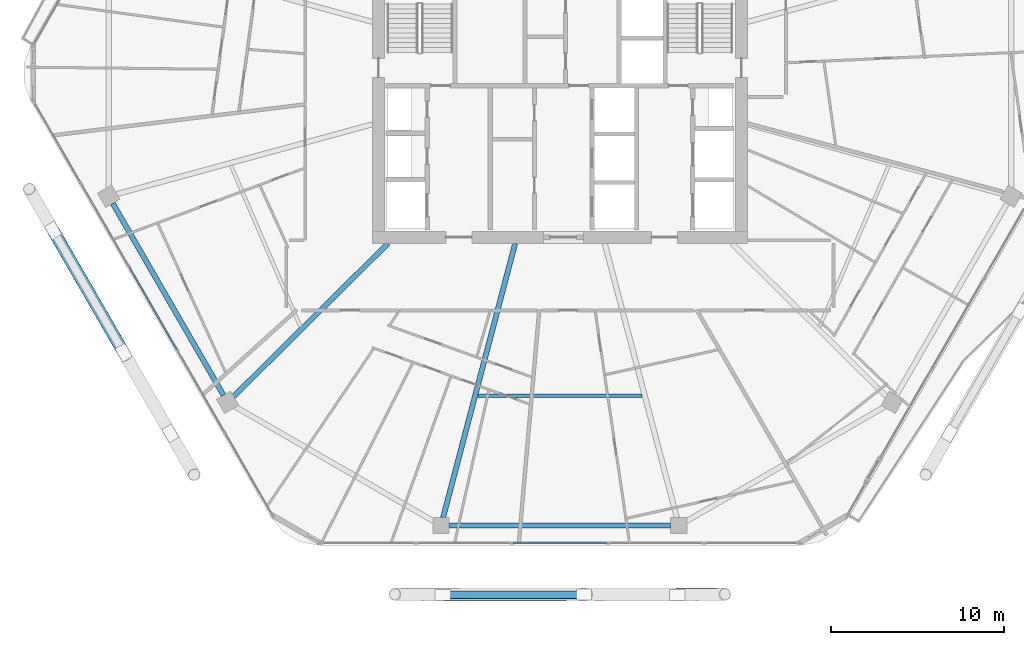
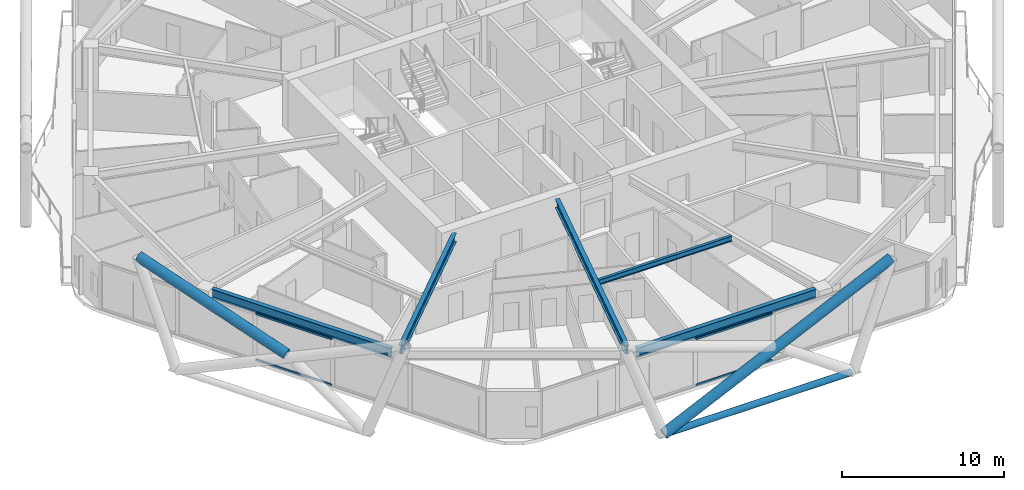
# One storey, part 4 of 28: 7 members, 5 beams, 2 elements without a shape of their own.
"""IFC4 building model written with IfcOpenShell, lengths in metres."""

from ifc_helpers import new_model, si_unit, direction, frame, origin, origin_2d, place, context, subcontext, project, spatial, hollow_rectangle, hollow_circle, i_section, extrude, material, material_profile, profile_set, type_object, element, aggregate, save


model = new_model("IFC4")

# Units and contexts
model_context = context("Model", 3, precision=1e-05, world=origin(), true_north=direction((0.0, 1.0)))
body_context = subcontext(model_context, "Body", "Model", "MODEL_VIEW")
ifc_project = project(units=[si_unit("LENGTHUNIT", "METRE"), si_unit("AREAUNIT", "SQUARE_METRE"), si_unit("VOLUMEUNIT", "CUBIC_METRE"), si_unit("PLANEANGLEUNIT", "RADIAN"), si_unit("MASSUNIT", "GRAM", prefix="KILO")], contexts=[model_context])

# Site, building, storey
site_placement = place(None, origin())
site = spatial("IfcSite", under=ifc_project, at=site_placement, CompositionType="ELEMENT")
building_placement = place(site_placement, origin())
building = spatial("IfcBuilding", under=site, at=building_placement, Name="Zuhravey Tower", CompositionType="ELEMENT")
storey_placement = place(building_placement, frame((0.0, 0.0, 199.800048828125)))
storey = spatial("IfcBuildingStorey", under=building, at=storey_placement, Name="L50", CompositionType="ELEMENT", Elevation=199.800048828125)

# Curtain wall, members
ifc_material_1 = material(Name="Thermally broken anodised aluminium", Category="aluminium")
curtain_wall_type = type_object("IfcCurtainWallType", Name="Zone 1-2 Residential Curtain Wall CW3", PredefinedType="NOTDEFINED", material=ifc_material_1)
curtain_wall_1_placement = place(storey_placement, origin())
curtain_wall_1 = element("IfcCurtainWall", 1, at=curtain_wall_1_placement, inside=storey, type_object=curtain_wall_type, Name="L50 CW3 CW-L50-F5-1", PredefinedType="NOTDEFINED")
ifc_material_2 = material(Name="Anodised aluminium", Category="aluminium")
ifc_material_profile_1 = material_profile(ifc_material_2, hollow_rectangle(XDim=0.090087890625, YDim=0.14990234375, WallThickness=0.0048828125, at=origin_2d()), Name="ALU-RHS-90x150x5")
ifc_profile_set_1 = profile_set([ifc_material_profile_1], Name="Anodised aluminium")
member_type_1 = type_object("IfcMemberType", Name="Curtain-Wall Transom 90x150", PredefinedType="USERDEFINED", material=ifc_profile_set_1)
member_1_placement = place(storey_placement, frame((38.727294921875, 4.81689453125, 0.044921875), z_axis=(-1.0, 0.0, 0.0), x_axis=(0.0, -1.0, 0.0)))
member_1 = element("IfcMember", 2, at=member_1_placement, type_object=member_type_1, Name="CW3 transom 3.1", ObjectType="TRANSOM", PredefinedType="USERDEFINED", context=body_context, shape_type="SweptSolid", body=[
    extrude(hollow_rectangle(XDim=0.090087890625, YDim=0.14990234375, WallThickness=0.0048828125, at=origin_2d()), origin(), (0.0, 0.0, 1.0), 5.45458984375),
])
member_2_placement = place(storey_placement, frame((38.727294921875, 4.81689453125, 3.5048828125), z_axis=(-1.0, 0.0, 0.0), x_axis=(0.0, -1.0, 0.0)))
member_2 = element("IfcMember", 3, at=member_2_placement, type_object=member_type_1, Name="CW3 transom 3.2", ObjectType="TRANSOM", PredefinedType="USERDEFINED", context=body_context, shape_type="SweptSolid", body=[
    extrude(hollow_rectangle(XDim=0.090087890625, YDim=0.14990234375, WallThickness=0.0048828125, at=origin_2d()), origin(), (0.0, 0.0, 1.0), 5.45458984375),
])
aggregate(curtain_wall_1, [member_1, member_2])

curtain_wall_2_placement = place(storey_placement, origin())
curtain_wall_2 = element("IfcCurtainWall", 4, at=curtain_wall_2_placement, inside=storey, type_object=curtain_wall_type, Name="L50 CW3 CW-L50-F4-1", PredefinedType="NOTDEFINED")
member_3_placement = place(storey_placement, frame((13.822265625, 16.046630859375, 0.044921875), z_axis=(-0.499980763544, 0.866036509673, 0.0), x_axis=(-0.866036509673, -0.499980763544, 0.0)))
member_3 = element("IfcMember", 5, at=member_3_placement, type_object=member_type_1, Name="CW3 transom 3.1", ObjectType="TRANSOM", PredefinedType="USERDEFINED", context=body_context, shape_type="SweptSolid", body=[
    extrude(hollow_rectangle(XDim=0.090087890625, YDim=0.14990234375, WallThickness=0.0048828125, at=origin_2d()), origin(), (0.0, 0.0, 1.0), 5.454345703125),
])
member_4_placement = place(storey_placement, frame((13.822265625, 16.046630859375, 3.5048828125), z_axis=(-0.499980763544, 0.866036509673, 0.0), x_axis=(-0.866036509673, -0.499980763544, 0.0)))
member_4 = element("IfcMember", 6, at=member_4_placement, type_object=member_type_1, Name="CW3 transom 3.2", ObjectType="TRANSOM", PredefinedType="USERDEFINED", context=body_context, shape_type="SweptSolid", body=[
    extrude(hollow_rectangle(XDim=0.090087890625, YDim=0.14990234375, WallThickness=0.0048828125, at=origin_2d()), origin(), (0.0, 0.0, 1.0), 5.454345703125),
])
aggregate(curtain_wall_2, [member_3, member_4])

# Members
ifc_material_3 = material(Name="Steel SM355", Category="steel")
ifc_material_profile_2 = material_profile(ifc_material_3, hollow_circle(Radius=0.228515625, WallThickness=0.02197265625, at=origin_2d()), Name="CHS-457.2x22")
ifc_profile_set_2 = profile_set([ifc_material_profile_2], Name="Steel SM355")
member_type_2 = type_object("IfcMemberType", Name="Exoskeleton Ring Tie CHS457x22", PredefinedType="CHORD", material=ifc_profile_set_2)
member_5_placement = place(storey_placement, frame((29.35888671875, 1.81689453125, -0.464111328125), z_axis=(1.0, 0.0, 0.0), x_axis=(0.0, 1.0, 0.0)))
element("IfcMember", 7, at=member_5_placement, inside=storey, type_object=member_type_2, Name="L50 Exoskeleton Face 5 Tie EXR1", PredefinedType="CHORD", context=body_context, shape_type="SweptSolid", body=[
    extrude(hollow_circle(Radius=0.228515625, WallThickness=0.02197265625, at=origin_2d()), origin(), (0.0, 0.0, 1.0), 13.2822265625),
])
ifc_material_4 = material(Name="Steel SM460", Category="steel")
ifc_material_profile_3 = material_profile(ifc_material_4, hollow_circle(Radius=0.355712890625, WallThickness=0.031982421875, at=origin_2d()), Name="CHS-711.2x32")
ifc_profile_set_3 = profile_set([ifc_material_profile_3], Name="Steel SM460")
member_type_3 = type_object("IfcMemberType", Name="Exoskeleton Zone 2 Diagrid CHS711x32", PredefinedType="BRACE", material=ifc_profile_set_3)
member_6_placement = place(storey_placement, frame((10.598876953125, 16.10986328125, 3.44921875), z_axis=(-0.472328200199, 0.818092776704, 0.328070541198), x_axis=(-0.866024434144, -0.500001679462, 0.0)))
element("IfcMember", 8, at=member_6_placement, inside=storey, type_object=member_type_3, Name="L50 Face 4 Split Diagrid Brace 3B", PredefinedType="BRACE", context=body_context, shape_type="SweptSolid", body=[
    extrude(hollow_circle(Radius=0.355712890625, WallThickness=0.031982421875, at=origin_2d()), origin(), (0.0, 0.0, 1.0), 11.190185546875),
])
member_7_placement = place(storey_placement, frame((29.261962890625, 1.81689453125, -0.444091796875), z_axis=(0.906678890215, 0.001675503358, 0.421818186815), x_axis=(-0.001847953575, 0.999998292532, 0.0)))
element("IfcMember", 9, at=member_7_placement, inside=storey, type_object=member_type_3, Name="L50 Face 5 Diagrid Brace 2", PredefinedType="BRACE", context=body_context, shape_type="SweptSolid", body=[
    extrude(hollow_circle(Radius=0.355712890625, WallThickness=0.031982421875, at=origin_2d()), origin(), (0.0, 0.0, 1.0), 17.922607421875),
])

# Beams
ifc_material_profile_4 = material_profile(ifc_material_3, i_section(OverallWidth=0.300048828125, OverallDepth=0.679931640625, WebThickness=0.012939453125, FlangeThickness=0.02197265625, at=origin_2d()), Name="H-680x300x13x22")
ifc_profile_set_4 = profile_set([ifc_material_profile_4], Name="Steel SM355")
beam_type_1 = type_object("IfcBeamType", Name="Perimeter Ring Beam H680x300", PredefinedType="BEAM", material=ifc_profile_set_4)
for number, where, z_axis, x_axis, name in (
    (10, (10.13134765625, 24.45947265625, 3.2099609375), (0.500003505699, -0.866023379758, 0.0), (0.866023379758, 0.500003505699, 0.0), "L50 PB2 BM-L50-PB-07"),
    (11, (29.595947265625, 5.826904296875, 3.2099609375), (1.0, 0.0, 0.0), (0.0, 1.0, 0.0), "L50 PB2 BM-L50-PB-09"),
):
    element("IfcBeam", number, at=place(storey_placement, frame(where, z_axis=z_axis, x_axis=x_axis)), inside=storey, type_object=beam_type_1, Name=name, PredefinedType="BEAM", context=body_context, shape_type="SweptSolid", body=[
        extrude(i_section(OverallWidth=0.300048828125, OverallDepth=0.679931640625, WebThickness=0.012939453125, FlangeThickness=0.02197265625, at=origin_2d()), origin(), (0.0, 0.0, 1.0), 12.80810546875),
    ])
ifc_material_profile_5 = material_profile(ifc_material_3, i_section(OverallWidth=0.300048828125, OverallDepth=0.64990234375, WebThickness=0.012939453125, FlangeThickness=0.02197265625, at=origin_2d()), Name="H-650x300x13x22")
ifc_profile_set_5 = profile_set([ifc_material_profile_5], Name="Steel SM355")
beam_type_2 = type_object("IfcBeamType", Name="Radial Primary Girder H650x300", PredefinedType="BEAM", material=ifc_profile_set_5)
beam_1_placement = place(storey_placement, frame((26.054443359375, 22.14697265625, 3.224853515625), z_axis=(-0.710406645816, -0.703791444663, 0.0), x_axis=(0.703791444663, -0.710406645816, 0.0)))
element("IfcBeam", 12, at=beam_1_placement, inside=storey, type_object=beam_type_2, Name="L50 RG2 BM-L50-RAD-08", PredefinedType="BEAM", context=body_context, shape_type="SweptSolid", body=[
    extrude(i_section(OverallWidth=0.300048828125, OverallDepth=0.64990234375, WebThickness=0.012939453125, FlangeThickness=0.02197265625, at=origin_2d()), origin(), (0.0, 0.0, 1.0), 12.5849609375),
])
beam_2_placement = place(storey_placement, frame((33.4091796875, 22.14697265625, 3.224853515625), z_axis=(-0.254299806285, -0.967125435775, 0.0), x_axis=(0.967125435775, -0.254299806285, 0.0)))
element("IfcBeam", 13, at=beam_2_placement, inside=storey, type_object=beam_type_2, Name="L50 RG2 BM-L50-RAD-09", PredefinedType="BEAM", context=body_context, shape_type="SweptSolid", body=[
    extrude(i_section(OverallWidth=0.300048828125, OverallDepth=0.64990234375, WebThickness=0.012939453125, FlangeThickness=0.02197265625, at=origin_2d()), origin(), (0.0, 0.0, 1.0), 16.396728515625),
])
ifc_material_profile_6 = material_profile(ifc_material_3, i_section(OverallWidth=0.199951171875, OverallDepth=0.39990234375, WebThickness=0.008056640625, FlangeThickness=0.012939453125, at=origin_2d()), Name="H-400x200x8x13")
ifc_profile_set_6 = profile_set([ifc_material_profile_6], Name="Steel SM355")
beam_type_3 = type_object("IfcBeamType", Name="Secondary Floor Joist H400x200", PredefinedType="JOIST", material=ifc_profile_set_6)
beam_3_placement = place(storey_placement, frame((31.245849609375, 13.334228515625, 3.349853515625), z_axis=(1.0, 0.0, 0.0), x_axis=(0.0, 1.0, 0.0)))
element("IfcBeam", 14, at=beam_3_placement, inside=storey, type_object=beam_type_3, Name="L50 SJ2 BM-L50-SJ-09-1", PredefinedType="JOIST", context=body_context, shape_type="SweptSolid", body=[
    extrude(i_section(OverallWidth=0.199951171875, OverallDepth=0.39990234375, WebThickness=0.008056640625, FlangeThickness=0.012939453125, at=origin_2d()), origin(), (0.0, 0.0, 1.0), 9.50830078125),
])

save(model, "model.ifc")
